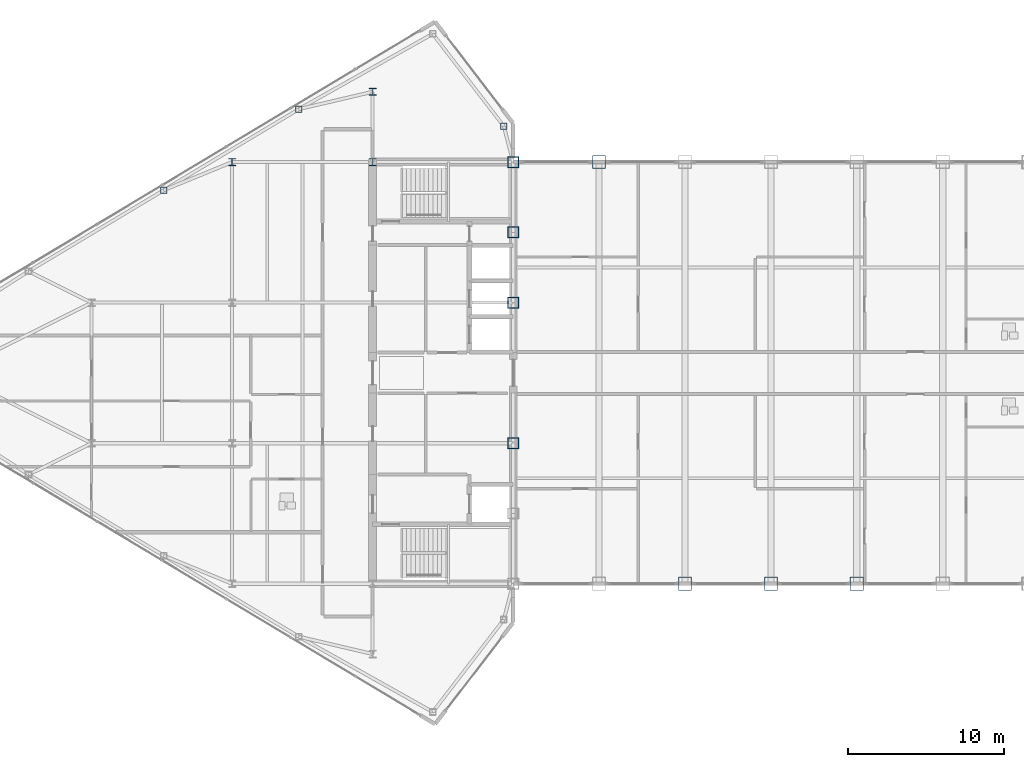
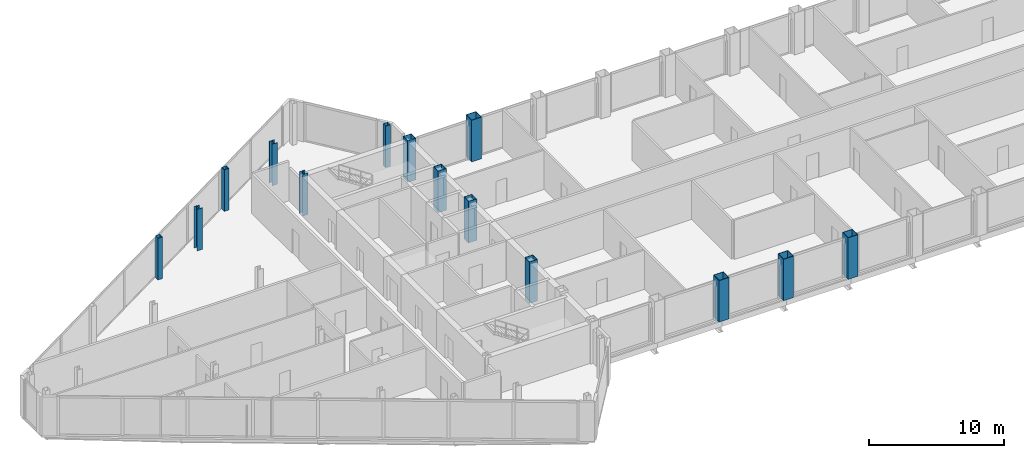
# One storey, part 2 of 29: 14 columns.
"""IFC4 building model written with IfcOpenShell, lengths in metres."""

import ifcopenshell
import ifcopenshell.guid

model = None  # the IFC model being written
_history = None  # IfcOwnerHistory: only IFC2X3 demands one
_inside = {}  # id of a spatial element -> (the spatial element, [elements in it])
_under = {}  # id of a project, library or spatial element -> (it, [spatial elements below it])
_declared = {}  # id of a project -> (the project, [libraries it declares])
_typed = {}  # id of a type object -> (the type object, [elements of that type])
_made_of = {}  # id of a material, layer set ... -> (it, [elements and type objects made of it])


def new_model(schema):
    """Start an empty IFC model of exactly this schema.

    Asked for "IFC4X3", IfcOpenShell would pick the latest addendum, in which some entities
    have other attributes; the version numbers below select the first issue.
    IFC2X3 requires an IfcOwnerHistory on every rooted entity: one is made here for all.
    """
    global model, _history
    if schema == "IFC4X3":
        model = ifcopenshell.file(schema_version=(4, 3, 0, 0))
    else:
        model = ifcopenshell.file(schema=schema)
    _inside.clear()
    _under.clear()
    _declared.clear()
    _typed.clear()
    _made_of.clear()
    _history = None
    if model.schema == "IFC2X3":
        org = make("IfcOrganization", Name="unknown")
        user = make(
            "IfcPersonAndOrganization",
            ThePerson=make("IfcPerson", FamilyName="unknown"),
            TheOrganization=org,
        )
        app = make(
            "IfcApplication",
            ApplicationDeveloper=org,
            Version="unknown",
            ApplicationFullName="unknown",
            ApplicationIdentifier="unknown",
        )
        _history = make(
            "IfcOwnerHistory",
            OwningUser=user,
            OwningApplication=app,
            ChangeAction="ADDED",
            CreationDate=0,
        )
    return model


def make(cls, **values):
    """One entity of the class cls with the attributes given. An attribute that is None is left unset."""
    return model.create_entity(
        cls, **{name: value for name, value in values.items() if value is not None}
    )


def rooted(cls, **values):
    """An entity with a GlobalId (a new one), such as an element, a storey or a relation."""
    return make(cls, GlobalId=ifcopenshell.guid.new(), OwnerHistory=_history, **values)


def si_unit(unit_type, name, prefix=None):
    """IfcSIUnit, for example si_unit("LENGTHUNIT", "METRE", prefix="MILLI")."""
    return make("IfcSIUnit", UnitType=unit_type, Prefix=prefix, Name=name)


def assignment(units):
    """IfcUnitAssignment: the units of a project."""
    return None if units is None else make("IfcUnitAssignment", Units=units)


def point(xyz):
    """IfcCartesianPoint."""
    return None if xyz is None else make("IfcCartesianPoint", Coordinates=xyz)


def direction(xyz):
    """IfcDirection."""
    return None if xyz is None else make("IfcDirection", DirectionRatios=xyz)


def frame(location, z_axis=None, x_axis=None):
    """IfcAxis2Placement3D, a coordinate frame: its origin and axes. An axis left out is left unset."""
    return make(
        "IfcAxis2Placement3D",
        Location=point(location),
        Axis=direction(z_axis),
        RefDirection=direction(x_axis),
    )


def frame_2d(location, x_axis=None):
    """IfcAxis2Placement2D, a coordinate frame in the plane: its origin and x axis."""
    return make(
        "IfcAxis2Placement2D", Location=point(location), RefDirection=direction(x_axis)
    )


def origin():
    """The frame at (0, 0, 0) with its axes left unset."""
    return frame((0.0, 0.0, 0.0))


def origin_2d():
    """The frame at (0, 0) in the plane with its x axis left unset."""
    return frame_2d((0.0, 0.0))


def place(relative_to, where):
    """IfcLocalPlacement: puts the frame where relative to a parent placement (None: the world)."""
    return make(
        "IfcLocalPlacement", PlacementRelTo=relative_to, RelativePlacement=where
    )


def context(
    kind, dimensions, precision=None, world=None, true_north=None, identifier=None
):
    """IfcGeometricRepresentationContext, for example the 3D "Model" context."""
    return make(
        "IfcGeometricRepresentationContext",
        ContextIdentifier=identifier,
        ContextType=kind,
        CoordinateSpaceDimension=dimensions,
        Precision=precision,
        WorldCoordinateSystem=world,
        TrueNorth=true_north,
    )


def subcontext(parent, identifier, kind, view, scale=None):
    """IfcGeometricRepresentationSubContext, for example "Body" below "Model"."""
    return make(
        "IfcGeometricRepresentationSubContext",
        ContextIdentifier=identifier,
        ContextType=kind,
        ParentContext=parent,
        TargetScale=scale,
        TargetView=view,
    )


def project(units=None, contexts=None):
    """IfcProject with its units and contexts."""
    return rooted(
        "IfcProject",
        Name="project",
        RepresentationContexts=contexts,
        UnitsInContext=assignment(units),
    )


def spatial(cls, under=None, at=None, **own):
    """A site, building, storey or space (cls), placed at a placement, below another one or the project."""
    s = rooted(cls, ObjectPlacement=at, **own)
    if under is not None:
        _under.setdefault(under.id(), (under, []))[1].append(s)
    return s


def profile(cls, at=None, kind="AREA", **sizes):
    """A parametric profile (cls). Its sizes go by their IFC names, for example OverallWidth=200.0."""
    return make(cls, ProfileType=kind, Position=at, **sizes)


def hollow_rectangle(**sizes):
    """IfcRectangleHollowProfileDef."""
    return profile("IfcRectangleHollowProfileDef", **sizes)


def i_section(**sizes):
    """IfcIShapeProfileDef."""
    return profile("IfcIShapeProfileDef", **sizes)


def extrude(swept, where, along, depth):
    """IfcExtrudedAreaSolid: the profile swept, set in the frame where, extruded along a direction by depth."""
    return make(
        "IfcExtrudedAreaSolid",
        SweptArea=swept,
        Position=where,
        ExtrudedDirection=direction(along),
        Depth=depth,
    )


def shape(context_of_items, identifier, shape_type, items):
    """IfcShapeRepresentation: the items that make up one representation, for example the "Body"."""
    return make(
        "IfcShapeRepresentation",
        ContextOfItems=context_of_items,
        RepresentationIdentifier=identifier,
        RepresentationType=shape_type,
        Items=items,
    )


def source(mapping_origin, context_of_items, identifier, shape_type, items):
    """IfcRepresentationMap: a shape defined once, which mapped items show again and again."""
    return make(
        "IfcRepresentationMap",
        MappingOrigin=mapping_origin,
        MappedRepresentation=shape(context_of_items, identifier, shape_type, items),
    )


def transform(
    local_origin,
    x_axis=None,
    y_axis=None,
    z_axis=None,
    scale=None,
    scale2=None,
    scale3=None,
    uniform=True,
):
    """IfcCartesianTransformationOperator3D, or its non-uniform kind. x_axis, y_axis, z_axis: its Axis1, 2, 3."""
    if uniform:
        return make(
            "IfcCartesianTransformationOperator3D",
            Axis1=direction(x_axis),
            Axis2=direction(y_axis),
            LocalOrigin=point(local_origin),
            Scale=scale,
            Axis3=direction(z_axis),
        )
    return make(
        "IfcCartesianTransformationOperator3DnonUniform",
        Axis1=direction(x_axis),
        Axis2=direction(y_axis),
        LocalOrigin=point(local_origin),
        Scale=scale,
        Axis3=direction(z_axis),
        Scale2=scale2,
        Scale3=scale3,
    )


def mapped(mapping_source, mapping_target):
    """IfcMappedItem: shows the shape of a source again, moved by a transform."""
    return make(
        "IfcMappedItem", MappingSource=mapping_source, MappingTarget=mapping_target
    )


def material(Name=None, Category=None):
    """IfcMaterial."""
    return make("IfcMaterial", Name=Name, Category=Category)


def material_profile(
    of_material, cross_section, Name=None, Category=None, Priority=None
):
    """IfcMaterialProfile: a cross section and its material."""
    return make(
        "IfcMaterialProfile",
        Name=Name,
        Material=of_material,
        Profile=cross_section,
        Priority=Priority,
        Category=Category,
    )


def profile_set(profiles, Name=None, composite=None):
    """IfcMaterialProfileSet."""
    return make(
        "IfcMaterialProfileSet",
        Name=Name,
        MaterialProfiles=profiles,
        CompositeProfile=composite,
    )


def made_of(thing, what):
    """Note that an element or type object is made of a material, layer set ...; save() writes the relation."""
    if what is not None:
        _made_of.setdefault(what.id(), (what, []))[1].append(thing)
    return thing


def type_object(cls, material=None, **own):
    """A type object (cls), such as IfcWallType, which elements share."""
    return made_of(rooted(cls, **own), material)


def type_shapes(of_type, sources):
    """Give a type object the sources (RepresentationMaps) that its elements show as mapped items."""
    of_type.RepresentationMaps = sources


def element(
    cls,
    number,
    at=None,
    inside=None,
    cuts=None,
    type_object=None,
    material=None,
    context=None,
    identifier="Body",
    shape_type=None,
    held_by="IfcProductDefinitionShape",
    body=None,
    shapes=None,
    **own,
):
    """One element of the class cls, such as IfcWall. Its Tag is "e" and its number.

    at: its placement. inside: the storey or other place that contains it. cuts: it is an
    opening in that element (IfcRelVoidsElement). A single representation is given by context,
    identifier, shape_type and body (its items); several are given by shapes. held_by: the class
    of the entity that holds the representations. save() writes the other relations.
    """
    e = rooted(cls, Tag="e%d" % number, ObjectPlacement=at, **own)
    if body is not None:
        shapes = [shape(context, identifier, shape_type, body)]
    if shapes is not None:
        e.Representation = make(held_by, Representations=shapes)
    if inside is not None:
        _inside.setdefault(inside.id(), (inside, []))[1].append(e)
    if cuts is not None:
        rooted(
            "IfcRelVoidsElement", RelatingBuildingElement=cuts, RelatedOpeningElement=e
        )
    if type_object is not None:
        _typed.setdefault(type_object.id(), (type_object, []))[1].append(e)
    return made_of(e, material)


def aggregate(whole, parts):
    """IfcRelAggregates: a whole, such as a stair, and the parts it consists of."""
    return rooted("IfcRelAggregates", RelatingObject=whole, RelatedObjects=parts)


def save(model, path):
    """Write the relations noted so far, then the file.

    IfcRelAggregates (storeys below a building ...), IfcRelContainedInSpatialStructure (elements
    in a storey), IfcRelDefinesByType, IfcRelAssociatesMaterial and IfcRelDeclares: one each for
    every whole, place, type object, material and project.
    """
    for whole, parts in _under.values():
        aggregate(whole, parts)
    for where, things in _inside.values():
        rooted(
            "IfcRelContainedInSpatialStructure",
            RelatedElements=things,
            RelatingStructure=where,
        )
    for kind, things in _typed.values():
        rooted("IfcRelDefinesByType", RelatedObjects=things, RelatingType=kind)
    for what, things in _made_of.values():
        rooted("IfcRelAssociatesMaterial", RelatedObjects=things, RelatingMaterial=what)
    for by, libraries in _declared.values():
        rooted("IfcRelDeclares", RelatingContext=by, RelatedDefinitions=libraries)
    model.write(path)


model = new_model("IFC4")

# Units and contexts
model_context = context("Model", 3, precision=1e-05, world=origin(), true_north=direction((0.0, 1.0)))
body_context = subcontext(model_context, "Body", "Model", "MODEL_VIEW")
ifc_project = project(units=[si_unit("LENGTHUNIT", "METRE"), si_unit("AREAUNIT", "SQUARE_METRE"), si_unit("VOLUMEUNIT", "CUBIC_METRE"), si_unit("PLANEANGLEUNIT", "RADIAN"), si_unit("MASSUNIT", "GRAM", prefix="KILO")], contexts=[model_context])

# Site, building, storey
site_placement = place(None, origin())
site = spatial("IfcSite", under=ifc_project, at=site_placement, CompositionType="ELEMENT")
building_placement = place(site_placement, origin())
building = spatial("IfcBuilding", under=site, at=building_placement, Name="Seokmaru Belvedere", CompositionType="ELEMENT")
storey_placement = place(building_placement, frame((0.0, 0.0, 246.89990234375)))
storey = spatial("IfcBuildingStorey", under=building, at=storey_placement, Name="L65", CompositionType="ELEMENT", Elevation=246.89990234375)

# Columns
ifc_material_1 = material(Name="Steel SM355 (355 MPa)", Category="steel")
ifc_material_profile_1 = material_profile(ifc_material_1, hollow_rectangle(XDim=0.699951171875, YDim=0.699951171875, WallThickness=0.030029296875, at=origin_2d()), Name="BOX-700x700x30")
ifc_profile_set_1 = profile_set([ifc_material_profile_1], Name="Steel SM355 (355 MPa)")
column_type_1 = type_object("IfcColumnType", Name="Upper Spine Column BOX-700", PredefinedType="COLUMN", material=ifc_profile_set_1)
shared_shape_1 = source(origin(), body_context, "Body", "SweptSolid", [
    extrude(hollow_rectangle(XDim=0.699951171875, YDim=0.699951171875, WallThickness=0.030029296875, at=origin_2d()), origin(), (0.0, 0.0, 1.0), 3.75),
])
type_shapes(column_type_1, [shared_shape_1])
for number, where, z_axis, x_axis, name in (
    (1, (-27.5, -4.5, 0.0), (0.0, 0.0, 1.0), (1.0, 0.0, 0.0), "L65 Column WS3"),
    (2, (-27.5, 4.5, 0.0), (0.0, 0.0, 1.0), (1.0, 0.0, 0.0), "L65 Column WS4"),
    (3, (-27.5, 9.0, 0.0), (0.0, 0.0, 1.0), (1.0, 0.0, 0.0), "L65 Column WS5"),
    (4, (-27.5, 13.5, 0.0), (0.0, 0.0, 1.0), (1.0, 0.0, 0.0), "L65 Column WS6"),
):
    element("IfcColumn", number, at=place(storey_placement, frame(where, z_axis=z_axis, x_axis=x_axis)), inside=storey, type_object=column_type_1, Name=name, PredefinedType="COLUMN", context=body_context, shape_type="MappedRepresentation", body=[
        mapped(shared_shape_1, transform((0.0, 0.0, 0.0), scale=1.0)),
    ])
ifc_material_profile_2 = material_profile(ifc_material_1, i_section(OverallWidth=0.449951171875, OverallDepth=0.449951171875, WebThickness=0.01611328125, FlangeThickness=0.02490234375, at=origin_2d()), Name="H-450x450x16x25")
ifc_profile_set_2 = profile_set([ifc_material_profile_2], Name="Steel SM355 (355 MPa)")
column_type_2 = type_object("IfcColumnType", Name="Sky-Gate Column H-450", PredefinedType="COLUMN", material=ifc_profile_set_2)
shared_shape_2 = source(origin(), body_context, "Body", "SweptSolid", [
    extrude(i_section(OverallWidth=0.449951171875, OverallDepth=0.449951171875, WebThickness=0.01611328125, FlangeThickness=0.02490234375, at=origin_2d()), origin(), (0.0, 0.0, 1.0), 3.75),
])
type_shapes(column_type_2, [shared_shape_2])
for number, where, z_axis, x_axis, name in (
    (5, (-36.5, 13.5, 0.0), (0.0, 0.0, 1.0), (1.0, 0.0, 0.0), "L65 Column WC3"),
    (6, (-36.5, 18.0, 0.0), (0.0, 0.0, 1.0), (1.0, 0.0, 0.0), "L65 Column WC4"),
    (7, (-45.5, 13.5, 0.0), (0.0, 0.0, 1.0), (1.0, 0.0, 0.0), "L65 Column WG5_4"),
):
    element("IfcColumn", number, at=place(storey_placement, frame(where, z_axis=z_axis, x_axis=x_axis)), inside=storey, type_object=column_type_2, Name=name, PredefinedType="COLUMN", context=body_context, shape_type="MappedRepresentation", body=[
        mapped(shared_shape_2, transform((0.0, 0.0, 0.0), scale=1.0)),
    ])
ifc_material_profile_3 = material_profile(ifc_material_1, hollow_rectangle(XDim=0.39990234375, YDim=0.39990234375, WallThickness=0.01611328125, at=origin_2d()), Name="HSS-400x400x16")
ifc_profile_set_3 = profile_set([ifc_material_profile_3], Name="Steel SM355 (355 MPa)")
column_type_3 = type_object("IfcColumnType", Name="Perimeter Facet Column HSS-400", PredefinedType="COLUMN", material=ifc_profile_set_3)
shared_shape_3 = source(origin(), body_context, "Body", "SweptSolid", [
    extrude(hollow_rectangle(XDim=0.39990234375, YDim=0.39990234375, WallThickness=0.01611328125, at=origin_2d()), origin(), (0.0, 0.0, 1.0), 3.75),
])
type_shapes(column_type_3, [shared_shape_3])
for number, where, z_axis, x_axis, name in (
    (8, (-28.10009765625, 15.7958984375, 0.0), (0.0, 0.0, 1.0), (1.0, 0.0, 0.0), "L65 Column WF2"),
    (9, (-41.229736328125, 16.888916015625, 0.0), (0.0, 0.0, 1.0), (1.0, 0.0, 0.0), "L65 Column WFLK_N1"),
    (10, (-49.8798828125, 11.698974609375, 0.0), (0.0, 0.0, 1.0), (1.0, 0.0, 0.0), "L65 Column WFLK_N2"),
):
    element("IfcColumn", number, at=place(storey_placement, frame(where, z_axis=z_axis, x_axis=x_axis)), inside=storey, type_object=column_type_3, Name=name, PredefinedType="COLUMN", context=body_context, shape_type="MappedRepresentation", body=[
        mapped(shared_shape_3, transform((0.0, 0.0, 0.0), scale=1.0)),
    ])
ifc_material_2 = material(Name="Steel HSA650 (650 MPa)", Category="steel")
ifc_material_profile_4 = material_profile(ifc_material_2, hollow_rectangle(XDim=0.85009765625, YDim=0.85009765625, WallThickness=0.035888671875, at=origin_2d()), Name="BOX-850x850x36")
ifc_profile_set_4 = profile_set([ifc_material_profile_4], Name="Steel HSA650 (650 MPa)")
column_type_4 = type_object("IfcColumnType", Name="Portal Spine Column BOX-850", PredefinedType="COLUMN", material=ifc_profile_set_4)
shared_shape_4 = source(origin(), body_context, "Body", "SweptSolid", [
    extrude(hollow_rectangle(XDim=0.85009765625, YDim=0.85009765625, WallThickness=0.035888671875, at=origin_2d()), origin(), (0.0, 0.0, 1.0), 3.75),
])
type_shapes(column_type_4, [shared_shape_4])
for number, where, z_axis, x_axis, name in (
    (11, (-22.0, 13.5, 0.0), (0.0, 0.0, 1.0), (1.0, 0.0, 0.0), "L65 Column BRN_1"),
    (12, (-16.5, -13.5, 0.0), (0.0, 0.0, 1.0), (1.0, 0.0, 0.0), "L65 Column BRS_2"),
    (13, (-11.0, -13.5, 0.0), (0.0, 0.0, 1.0), (1.0, 0.0, 0.0), "L65 Column BRS_3"),
    (14, (-5.5, -13.5, 0.0), (0.0, 0.0, 1.0), (1.0, 0.0, 0.0), "L65 Column BRS_4"),
):
    element("IfcColumn", number, at=place(storey_placement, frame(where, z_axis=z_axis, x_axis=x_axis)), inside=storey, type_object=column_type_4, Name=name, PredefinedType="COLUMN", context=body_context, shape_type="MappedRepresentation", body=[
        mapped(shared_shape_4, transform((0.0, 0.0, 0.0), scale=1.0)),
    ])

save(model, "model.ifc")
